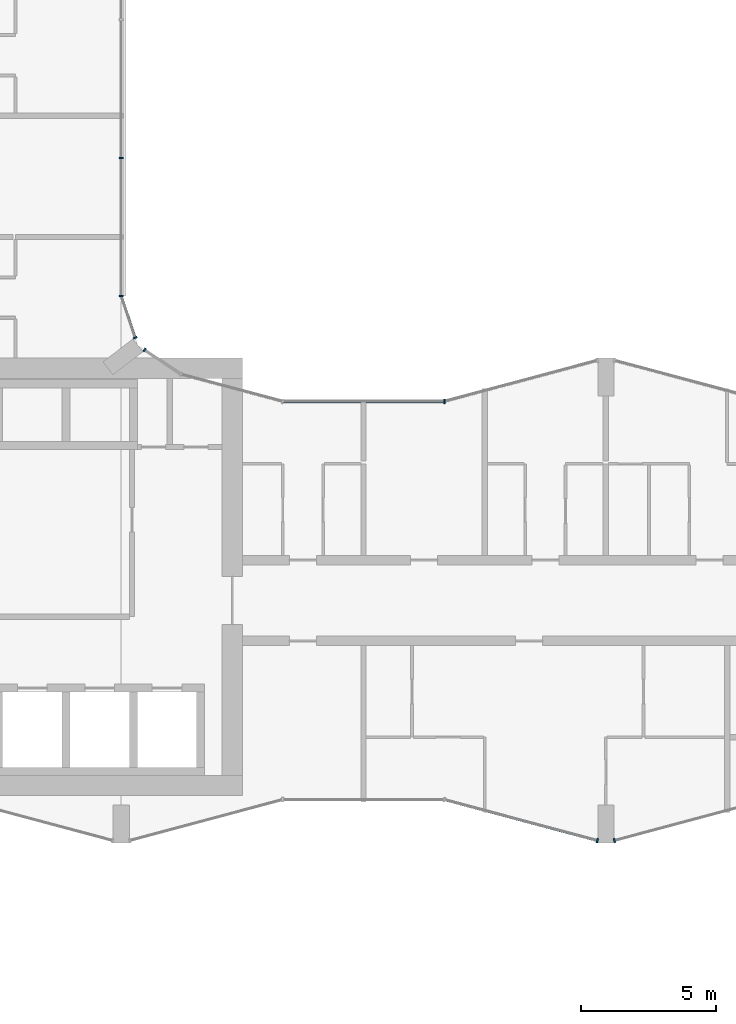
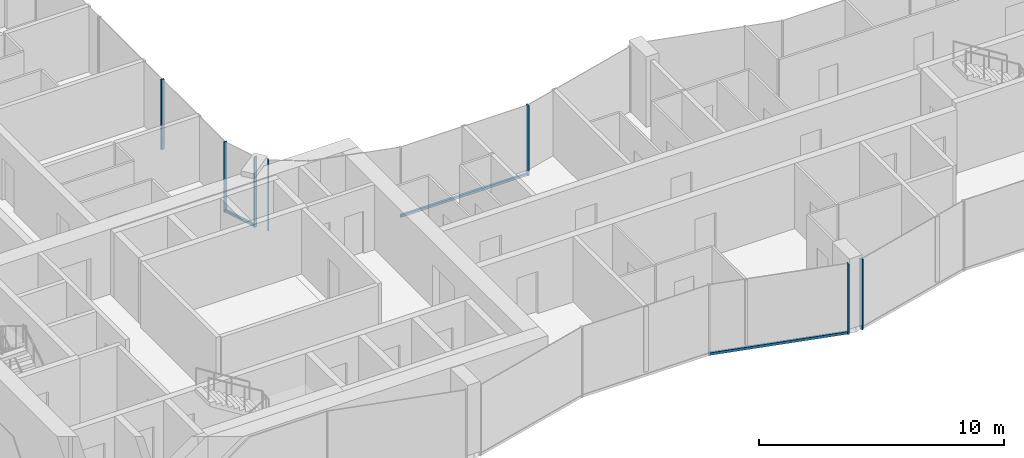
# One storey, part 4 of 24: 10 members, 6 elements without a shape of their own.
"""IFC4 building model written with IfcOpenShell, lengths in metres."""

import ifcopenshell
import ifcopenshell.guid

model = None  # the IFC model being written
_history = None  # IfcOwnerHistory: only IFC2X3 demands one
_inside = {}  # id of a spatial element -> (the spatial element, [elements in it])
_under = {}  # id of a project, library or spatial element -> (it, [spatial elements below it])
_declared = {}  # id of a project -> (the project, [libraries it declares])
_typed = {}  # id of a type object -> (the type object, [elements of that type])
_made_of = {}  # id of a material, layer set ... -> (it, [elements and type objects made of it])


def new_model(schema):
    """Start an empty IFC model of exactly this schema.

    Asked for "IFC4X3", IfcOpenShell would pick the latest addendum, in which some entities
    have other attributes; the version numbers below select the first issue.
    IFC2X3 requires an IfcOwnerHistory on every rooted entity: one is made here for all.
    """
    global model, _history
    if schema == "IFC4X3":
        model = ifcopenshell.file(schema_version=(4, 3, 0, 0))
    else:
        model = ifcopenshell.file(schema=schema)
    _inside.clear()
    _under.clear()
    _declared.clear()
    _typed.clear()
    _made_of.clear()
    _history = None
    if model.schema == "IFC2X3":
        org = make("IfcOrganization", Name="unknown")
        user = make(
            "IfcPersonAndOrganization",
            ThePerson=make("IfcPerson", FamilyName="unknown"),
            TheOrganization=org,
        )
        app = make(
            "IfcApplication",
            ApplicationDeveloper=org,
            Version="unknown",
            ApplicationFullName="unknown",
            ApplicationIdentifier="unknown",
        )
        _history = make(
            "IfcOwnerHistory",
            OwningUser=user,
            OwningApplication=app,
            ChangeAction="ADDED",
            CreationDate=0,
        )
    return model


def make(cls, **values):
    """One entity of the class cls with the attributes given. An attribute that is None is left unset."""
    return model.create_entity(
        cls, **{name: value for name, value in values.items() if value is not None}
    )


def rooted(cls, **values):
    """An entity with a GlobalId (a new one), such as an element, a storey or a relation."""
    return make(cls, GlobalId=ifcopenshell.guid.new(), OwnerHistory=_history, **values)


def si_unit(unit_type, name, prefix=None):
    """IfcSIUnit, for example si_unit("LENGTHUNIT", "METRE", prefix="MILLI")."""
    return make("IfcSIUnit", UnitType=unit_type, Prefix=prefix, Name=name)


def assignment(units):
    """IfcUnitAssignment: the units of a project."""
    return None if units is None else make("IfcUnitAssignment", Units=units)


def point(xyz):
    """IfcCartesianPoint."""
    return None if xyz is None else make("IfcCartesianPoint", Coordinates=xyz)


def direction(xyz):
    """IfcDirection."""
    return None if xyz is None else make("IfcDirection", DirectionRatios=xyz)


def frame(location, z_axis=None, x_axis=None):
    """IfcAxis2Placement3D, a coordinate frame: its origin and axes. An axis left out is left unset."""
    return make(
        "IfcAxis2Placement3D",
        Location=point(location),
        Axis=direction(z_axis),
        RefDirection=direction(x_axis),
    )


def frame_2d(location, x_axis=None):
    """IfcAxis2Placement2D, a coordinate frame in the plane: its origin and x axis."""
    return make(
        "IfcAxis2Placement2D", Location=point(location), RefDirection=direction(x_axis)
    )


def origin():
    """The frame at (0, 0, 0) with its axes left unset."""
    return frame((0.0, 0.0, 0.0))


def origin_2d():
    """The frame at (0, 0) in the plane with its x axis left unset."""
    return frame_2d((0.0, 0.0))


def place(relative_to, where):
    """IfcLocalPlacement: puts the frame where relative to a parent placement (None: the world)."""
    return make(
        "IfcLocalPlacement", PlacementRelTo=relative_to, RelativePlacement=where
    )


def context(
    kind, dimensions, precision=None, world=None, true_north=None, identifier=None
):
    """IfcGeometricRepresentationContext, for example the 3D "Model" context."""
    return make(
        "IfcGeometricRepresentationContext",
        ContextIdentifier=identifier,
        ContextType=kind,
        CoordinateSpaceDimension=dimensions,
        Precision=precision,
        WorldCoordinateSystem=world,
        TrueNorth=true_north,
    )


def subcontext(parent, identifier, kind, view, scale=None):
    """IfcGeometricRepresentationSubContext, for example "Body" below "Model"."""
    return make(
        "IfcGeometricRepresentationSubContext",
        ContextIdentifier=identifier,
        ContextType=kind,
        ParentContext=parent,
        TargetScale=scale,
        TargetView=view,
    )


def project(units=None, contexts=None):
    """IfcProject with its units and contexts."""
    return rooted(
        "IfcProject",
        Name="project",
        RepresentationContexts=contexts,
        UnitsInContext=assignment(units),
    )


def spatial(cls, under=None, at=None, **own):
    """A site, building, storey or space (cls), placed at a placement, below another one or the project."""
    s = rooted(cls, ObjectPlacement=at, **own)
    if under is not None:
        _under.setdefault(under.id(), (under, []))[1].append(s)
    return s


def profile(cls, at=None, kind="AREA", **sizes):
    """A parametric profile (cls). Its sizes go by their IFC names, for example OverallWidth=200.0."""
    return make(cls, ProfileType=kind, Position=at, **sizes)


def rectangle(**sizes):
    """IfcRectangleProfileDef."""
    return profile("IfcRectangleProfileDef", **sizes)


def extrude(swept, where, along, depth):
    """IfcExtrudedAreaSolid: the profile swept, set in the frame where, extruded along a direction by depth."""
    return make(
        "IfcExtrudedAreaSolid",
        SweptArea=swept,
        Position=where,
        ExtrudedDirection=direction(along),
        Depth=depth,
    )


def shape(context_of_items, identifier, shape_type, items):
    """IfcShapeRepresentation: the items that make up one representation, for example the "Body"."""
    return make(
        "IfcShapeRepresentation",
        ContextOfItems=context_of_items,
        RepresentationIdentifier=identifier,
        RepresentationType=shape_type,
        Items=items,
    )


def material(Name=None, Category=None):
    """IfcMaterial."""
    return make("IfcMaterial", Name=Name, Category=Category)


def layer(
    of_material, thickness, ventilated=None, Name=None, Category=None, Priority=None
):
    """IfcMaterialLayer: one layer of a wall or slab, of a material (None: an air gap)."""
    return make(
        "IfcMaterialLayer",
        Material=of_material,
        LayerThickness=thickness,
        IsVentilated=ventilated,
        Name=Name,
        Category=Category,
        Priority=Priority,
    )


def layer_set(layers, Name=None):
    """IfcMaterialLayerSet."""
    return make("IfcMaterialLayerSet", MaterialLayers=layers, LayerSetName=Name)


def material_profile(
    of_material, cross_section, Name=None, Category=None, Priority=None
):
    """IfcMaterialProfile: a cross section and its material."""
    return make(
        "IfcMaterialProfile",
        Name=Name,
        Material=of_material,
        Profile=cross_section,
        Priority=Priority,
        Category=Category,
    )


def profile_set(profiles, Name=None, composite=None):
    """IfcMaterialProfileSet."""
    return make(
        "IfcMaterialProfileSet",
        Name=Name,
        MaterialProfiles=profiles,
        CompositeProfile=composite,
    )


def made_of(thing, what):
    """Note that an element or type object is made of a material, layer set ...; save() writes the relation."""
    if what is not None:
        _made_of.setdefault(what.id(), (what, []))[1].append(thing)
    return thing


def type_object(cls, material=None, **own):
    """A type object (cls), such as IfcWallType, which elements share."""
    return made_of(rooted(cls, **own), material)


def element(
    cls,
    number,
    at=None,
    inside=None,
    cuts=None,
    type_object=None,
    material=None,
    context=None,
    identifier="Body",
    shape_type=None,
    held_by="IfcProductDefinitionShape",
    body=None,
    shapes=None,
    **own,
):
    """One element of the class cls, such as IfcWall. Its Tag is "e" and its number.

    at: its placement. inside: the storey or other place that contains it. cuts: it is an
    opening in that element (IfcRelVoidsElement). A single representation is given by context,
    identifier, shape_type and body (its items); several are given by shapes. held_by: the class
    of the entity that holds the representations. save() writes the other relations.
    """
    e = rooted(cls, Tag="e%d" % number, ObjectPlacement=at, **own)
    if body is not None:
        shapes = [shape(context, identifier, shape_type, body)]
    if shapes is not None:
        e.Representation = make(held_by, Representations=shapes)
    if inside is not None:
        _inside.setdefault(inside.id(), (inside, []))[1].append(e)
    if cuts is not None:
        rooted(
            "IfcRelVoidsElement", RelatingBuildingElement=cuts, RelatedOpeningElement=e
        )
    if type_object is not None:
        _typed.setdefault(type_object.id(), (type_object, []))[1].append(e)
    return made_of(e, material)


def aggregate(whole, parts):
    """IfcRelAggregates: a whole, such as a stair, and the parts it consists of."""
    return rooted("IfcRelAggregates", RelatingObject=whole, RelatedObjects=parts)


def save(model, path):
    """Write the relations noted so far, then the file.

    IfcRelAggregates (storeys below a building ...), IfcRelContainedInSpatialStructure (elements
    in a storey), IfcRelDefinesByType, IfcRelAssociatesMaterial and IfcRelDeclares: one each for
    every whole, place, type object, material and project.
    """
    for whole, parts in _under.values():
        aggregate(whole, parts)
    for where, things in _inside.values():
        rooted(
            "IfcRelContainedInSpatialStructure",
            RelatedElements=things,
            RelatingStructure=where,
        )
    for kind, things in _typed.values():
        rooted("IfcRelDefinesByType", RelatedObjects=things, RelatingType=kind)
    for what, things in _made_of.values():
        rooted("IfcRelAssociatesMaterial", RelatedObjects=things, RelatingMaterial=what)
    for by, libraries in _declared.values():
        rooted("IfcRelDeclares", RelatingContext=by, RelatedDefinitions=libraries)
    model.write(path)


model = new_model("IFC4")

# Units and contexts
model_context = context("Model", 3, precision=1e-05, world=origin(), true_north=direction((0.0, 1.0)))
body_context = subcontext(model_context, "Body", "Model", "MODEL_VIEW")
ifc_project = project(units=[si_unit("LENGTHUNIT", "METRE"), si_unit("AREAUNIT", "SQUARE_METRE"), si_unit("VOLUMEUNIT", "CUBIC_METRE"), si_unit("PLANEANGLEUNIT", "RADIAN"), si_unit("MASSUNIT", "GRAM", prefix="KILO")], contexts=[model_context])

# Site, building, storey
site_placement = place(None, origin())
site = spatial("IfcSite", under=ifc_project, at=site_placement, CompositionType="ELEMENT")
building_placement = place(site_placement, origin())
building = spatial("IfcBuilding", under=site, at=building_placement, Name="Plateau Cross Towers", CompositionType="ELEMENT")
storey_placement = place(building_placement, frame((0.0, 0.0, 44.300048828125)))
storey = spatial("IfcBuildingStorey", under=building, at=storey_placement, Name="L10", CompositionType="ELEMENT", Elevation=44.300048828125)

# Curtain wall, member
ifc_material_1 = material(Name="Dark low-iron glass", Category="glass")
ifc_layer_1 = layer(ifc_material_1, 0.239990234375)
ifc_layer_set_1 = layer_set([ifc_layer_1], Name="Dark low-iron glass")
curtain_wall_type_1 = type_object("IfcCurtainWallType", Name="Curtain wall flush unitised CW-B", PredefinedType="NOTDEFINED", material=ifc_layer_set_1)
curtain_wall_1_placement = place(storey_placement, origin())
curtain_wall_1 = element("IfcCurtainWall", 1, at=curtain_wall_1_placement, inside=storey, type_object=curtain_wall_type_1, Name="ENV/A/L10/A202_174", PredefinedType="NOTDEFINED")
ifc_material_2 = material(Name="Black anodised aluminium", Category="aluminium")
ifc_material_profile_1 = material_profile(ifc_material_2, rectangle(XDim=0.06005859375, YDim=0.139892578125, at=origin_2d()), Name="MULLION 60x140")
ifc_profile_set_1 = profile_set([ifc_material_profile_1], Name="Black anodised aluminium")
member_type_1 = type_object("IfcMemberType", Name="Mullion 60x140 flush unitised", PredefinedType="MULLION", material=ifc_profile_set_1)
member_1_placement = place(storey_placement, frame((18.86962890625, 18.30908203125, -0.25), z_axis=(0.0, 0.0, 1.0), x_axis=(-0.831521253329, 0.555492938984, 0.0)))
member_1 = element("IfcMember", 2, at=member_1_placement, type_object=member_type_1, Name="CW-B mullion 2", PredefinedType="MULLION", context=body_context, shape_type="SweptSolid", body=[
    extrude(rectangle(XDim=0.06005859375, YDim=0.139892578125, at=origin_2d()), origin(), (0.0, 0.0, 1.0), 3.5),
])
aggregate(curtain_wall_1, [member_1])

curtain_wall_2_placement = place(storey_placement, origin())
curtain_wall_2 = element("IfcCurtainWall", 3, at=curtain_wall_2_placement, inside=storey, type_object=curtain_wall_type_1, Name="ENV/A/L10/A185_188", PredefinedType="NOTDEFINED")
member_2_placement = place(storey_placement, frame((18.523681640625, 18.760009765625, -0.25), z_axis=(0.0, 0.0, 1.0), x_axis=(-0.321469161574, 0.94692004845, 0.0)))
member_2 = element("IfcMember", 4, at=member_2_placement, type_object=member_type_1, Name="CW-B mullion 1", PredefinedType="MULLION", context=body_context, shape_type="SweptSolid", body=[
    extrude(rectangle(XDim=0.06005859375, YDim=0.139892578125, at=origin_2d()), origin(), (0.0, 0.0, 1.0), 3.5),
])

# Curtain wall, members
curtain_wall_3_placement = place(storey_placement, origin())
curtain_wall_3 = element("IfcCurtainWall", 5, at=curtain_wall_3_placement, inside=storey, type_object=curtain_wall_type_1, Name="ENV/A/L10/A180_203", PredefinedType="NOTDEFINED")
member_3_placement = place(storey_placement, frame((18.0, 20.30224609375, -0.25), z_axis=(0.0, 0.0, 1.0), x_axis=(0.0, 1.0, 0.0)))
member_3 = element("IfcMember", 6, at=member_3_placement, type_object=member_type_1, Name="CW-B mullion 1", PredefinedType="MULLION", context=body_context, shape_type="SweptSolid", body=[
    extrude(rectangle(XDim=0.06005859375, YDim=0.139892578125, at=origin_2d()), origin(), (0.0, 0.0, 1.0), 3.5),
])
member_4_placement = place(storey_placement, frame((18.0, 25.434814453125, -0.25), z_axis=(0.0, 0.0, 1.0), x_axis=(0.0, 1.0, 0.0)))
member_4 = element("IfcMember", 7, at=member_4_placement, type_object=member_type_1, Name="CW-B mullion 2", PredefinedType="MULLION", context=body_context, shape_type="SweptSolid", body=[
    extrude(rectangle(XDim=0.06005859375, YDim=0.139892578125, at=origin_2d()), origin(), (0.0, 0.0, 1.0), 3.5),
])
aggregate(curtain_wall_3, [member_3, member_4])

# Curtain wall, member
ifc_layer_2 = layer(ifc_material_1, 0.260009765625)
ifc_layer_set_2 = layer_set([ifc_layer_2], Name="Dark low-iron glass")
curtain_wall_type_2 = type_object("IfcCurtainWallType", Name="Curtain wall fluted unitised CW-A", PredefinedType="NOTDEFINED", material=ifc_layer_set_2)
curtain_wall_4_placement = place(storey_placement, origin())
curtain_wall_4 = element("IfcCurtainWall", 8, at=curtain_wall_4_placement, inside=storey, type_object=curtain_wall_type_2, Name="ENV/A/L10/A300_16", PredefinedType="NOTDEFINED")
ifc_material_profile_2 = material_profile(ifc_material_2, rectangle(XDim=0.06005859375, YDim=0.159912109375, at=origin_2d()), Name="MULLION 60x160")
ifc_profile_set_2 = profile_set([ifc_material_profile_2], Name="Black anodised aluminium")
member_type_2 = type_object("IfcMemberType", Name="Mullion 60x160 fluted unitised", PredefinedType="MULLION", material=ifc_profile_set_2)
member_5_placement = place(storey_placement, frame((35.68212890625, 0.085205078125, -0.25), z_axis=(0.0, 0.0, 1.0), x_axis=(0.965957983404, -0.258699003279, 0.0)))
member_5 = element("IfcMember", 9, at=member_5_placement, type_object=member_type_2, Name="CW-A mullion 2", PredefinedType="MULLION", context=body_context, shape_type="SweptSolid", body=[
    extrude(rectangle(XDim=0.06005859375, YDim=0.159912109375, at=origin_2d()), origin(), (0.0, 0.0, 1.0), 3.5),
])

curtain_wall_5_placement = place(storey_placement, origin())
curtain_wall_5 = element("IfcCurtainWall", 10, at=curtain_wall_5_placement, inside=storey, type_object=curtain_wall_type_2, Name="ENV/A/L10/A363_1", PredefinedType="NOTDEFINED")
member_6_placement = place(storey_placement, frame((36.31787109375, 0.085205078125, -0.25), z_axis=(0.0, 0.0, 1.0), x_axis=(0.965957983404, 0.258699003279, 0.0)))
member_6 = element("IfcMember", 11, at=member_6_placement, type_object=member_type_2, Name="CW-A mullion 1", PredefinedType="MULLION", context=body_context, shape_type="SweptSolid", body=[
    extrude(rectangle(XDim=0.06005859375, YDim=0.159912109375, at=origin_2d()), origin(), (0.0, 0.0, 1.0), 3.5),
])
aggregate(curtain_wall_5, [member_6])

curtain_wall_6_placement = place(storey_placement, origin())
curtain_wall_6 = element("IfcCurtainWall", 12, at=curtain_wall_6_placement, inside=storey, type_object=curtain_wall_type_2, Name="ENV/A/L10/A300_164", PredefinedType="NOTDEFINED")
member_7_placement = place(storey_placement, frame((30.0, 16.39306640625, -0.25), z_axis=(0.0, 0.0, 1.0), x_axis=(-1.0, 0.0, 0.0)))
member_7 = element("IfcMember", 13, at=member_7_placement, type_object=member_type_2, Name="CW-A mullion 1", PredefinedType="MULLION", context=body_context, shape_type="SweptSolid", body=[
    extrude(rectangle(XDim=0.06005859375, YDim=0.159912109375, at=origin_2d()), origin(), (0.0, 0.0, 1.0), 3.5),
])

# Member
ifc_material_profile_3 = material_profile(ifc_material_2, rectangle(XDim=0.10009765625, YDim=0.1201171875, at=origin_2d()), Name="TRANSOM 100x120")
ifc_profile_set_3 = profile_set([ifc_material_profile_3], Name="Black anodised aluminium")
member_type_3 = type_object("IfcMemberType", Name="Transom 100x120 flush unitised", PredefinedType="USERDEFINED", material=ifc_profile_set_3)
member_8_placement = place(storey_placement, frame((18.523681640625, 18.760009765625, -0.18994140625), z_axis=(-0.321529174838, 0.946899672472, 0.0), x_axis=(-0.946899672472, -0.321529174838, 0.0)))
member_8 = element("IfcMember", 14, at=member_8_placement, type_object=member_type_3, Name="CW-B transom", ObjectType="TRANSOM", PredefinedType="USERDEFINED", context=body_context, shape_type="SweptSolid", body=[
    extrude(rectangle(XDim=0.10009765625, YDim=0.1201171875, at=origin_2d()), origin(), (0.0, 0.0, 1.0), 1.628662109375),
])

aggregate(curtain_wall_2, [member_2, member_8])

ifc_material_profile_4 = material_profile(ifc_material_2, rectangle(XDim=0.10009765625, YDim=0.1201171875, at=origin_2d()), Name="TRANSOM 100x120")
ifc_profile_set_4 = profile_set([ifc_material_profile_4], Name="Black anodised aluminium")
member_type_4 = type_object("IfcMemberType", Name="Transom 100x120 fluted unitised", PredefinedType="USERDEFINED", material=ifc_profile_set_4)
member_9_placement = place(storey_placement, frame((30.0, 1.60693359375, -0.18994140625), z_axis=(0.965959534794, -0.258693210465, 0.0), x_axis=(0.258693210465, 0.965959534794, 0.0)))
member_9 = element("IfcMember", 15, at=member_9_placement, type_object=member_type_4, Name="CW-A transom", ObjectType="TRANSOM", PredefinedType="USERDEFINED", context=body_context, shape_type="SweptSolid", body=[
    extrude(rectangle(XDim=0.10009765625, YDim=0.1201171875, at=origin_2d()), origin(), (0.0, 0.0, 1.0), 5.88232421875),
])

aggregate(curtain_wall_4, [member_5, member_9])

member_10_placement = place(storey_placement, frame((30.0, 16.39306640625, -0.18994140625), z_axis=(-1.0, 0.0, 0.0), x_axis=(0.0, -1.0, 0.0)))
member_10 = element("IfcMember", 16, at=member_10_placement, type_object=member_type_4, Name="CW-A transom", ObjectType="TRANSOM", PredefinedType="USERDEFINED", context=body_context, shape_type="SweptSolid", body=[
    extrude(rectangle(XDim=0.10009765625, YDim=0.1201171875, at=origin_2d()), origin(), (0.0, 0.0, 1.0), 6.0),
])

aggregate(curtain_wall_6, [member_7, member_10])

save(model, "model.ifc")
